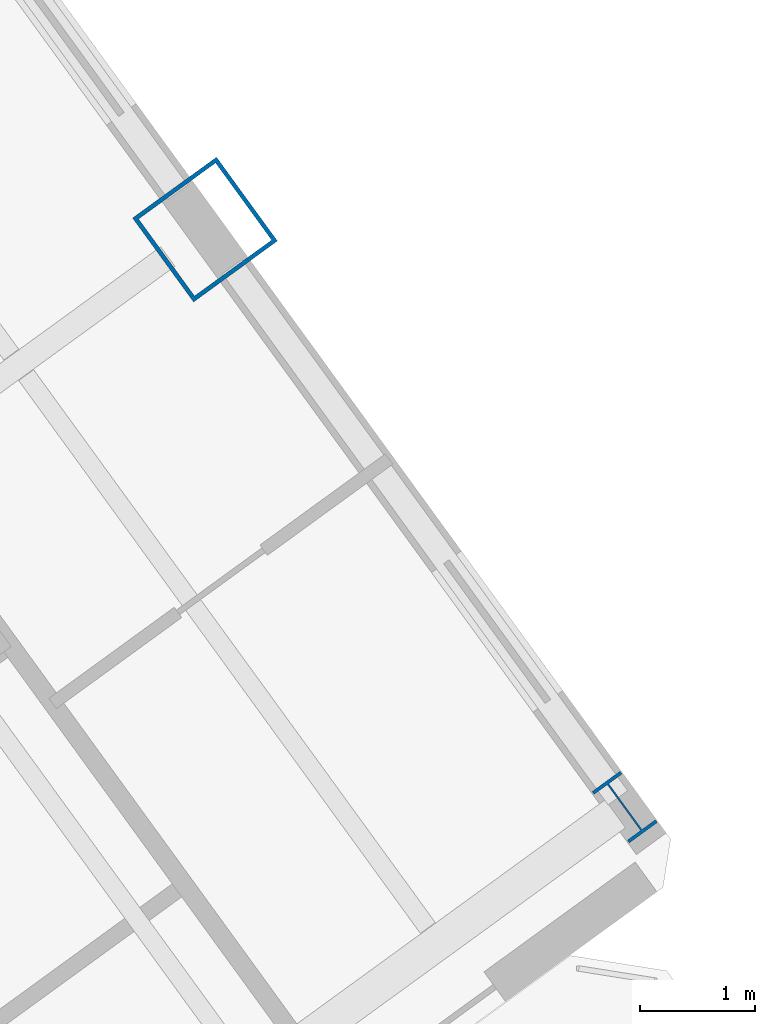
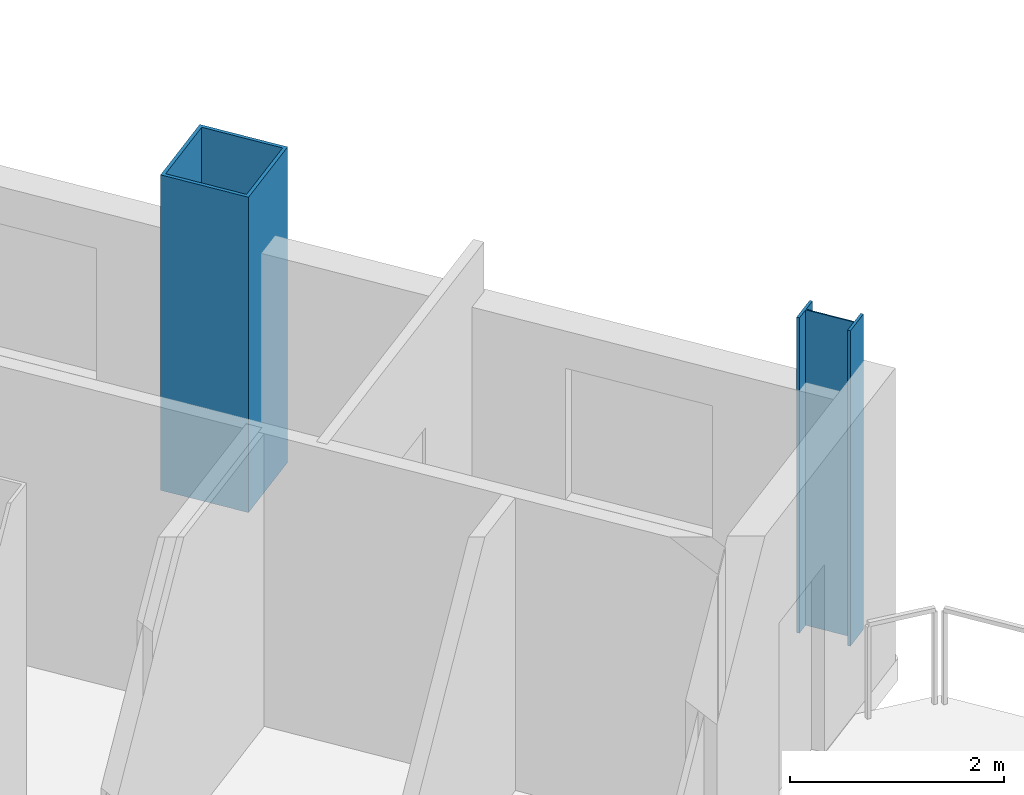
# One storey, part 4 of 19: 2 columns.
"""IFC4 building model written with IfcOpenShell, lengths in metres."""

from ifc_helpers import new_model, si_unit, direction, frame, origin, origin_2d, place, context, subcontext, project, spatial, hollow_rectangle, i_section, extrude, source, transform, mapped, material, material_profile, profile_set, type_object, element, save


model = new_model("IFC4")

# Units and contexts
model_context = context("Model", 3, precision=1e-05, world=origin(), true_north=direction((0.0, 1.0)))
body_context = subcontext(model_context, "Body", "Model", "MODEL_VIEW")
ifc_project = project(units=[si_unit("LENGTHUNIT", "METRE"), si_unit("AREAUNIT", "SQUARE_METRE"), si_unit("VOLUMEUNIT", "CUBIC_METRE"), si_unit("PLANEANGLEUNIT", "RADIAN"), si_unit("MASSUNIT", "GRAM", prefix="KILO")], contexts=[model_context])

# Site, building, storey
site_placement = place(None, origin())
site = spatial("IfcSite", under=ifc_project, at=site_placement, CompositionType="ELEMENT")
building_placement = place(site_placement, origin())
building = spatial("IfcBuilding", under=site, at=building_placement, Name="Tlacorven Tower", CompositionType="ELEMENT")
storey_placement = place(building_placement, frame((0.0, 0.0, 147.89990234375)))
storey = spatial("IfcBuildingStorey", under=building, at=storey_placement, Name="L37", CompositionType="ELEMENT", Elevation=147.89990234375)

# Columns
ifc_material = material(Name="Steel S460M", Category="steel")
ifc_material_profile_1 = material_profile(ifc_material, hollow_rectangle(XDim=0.89990234375, YDim=0.89990234375, WallThickness=0.035888671875, at=origin_2d()), Name="BOX 900X900X36")
ifc_profile_set_1 = profile_set([ifc_material_profile_1], Name="Steel S460M")
column_type_1 = type_object("IfcColumnType", Name="COL-TWR-S2", PredefinedType="COLUMN", material=ifc_profile_set_1)
shared_shape_1 = source(origin(), body_context, "Body", "SweptSolid", [
    extrude(hollow_rectangle(XDim=0.89990234375, YDim=0.89990234375, WallThickness=0.035888671875, at=origin_2d()), origin(), (0.0, 0.0, 1.0), 3.60009765625),
])
column_1_placement = place(storey_placement, frame((67.267822265625, 23.353515625, 0.0), z_axis=(0.0, 0.0, 1.0), x_axis=(0.809016994375, 0.587785252292, 0.0)))
element("IfcColumn", 1, at=column_1_placement, inside=storey, type_object=column_type_1, Name="L37 column COL-L37-E4-2", PredefinedType="COLUMN", context=body_context, shape_type="MappedRepresentation", body=[
    mapped(shared_shape_1, transform((0.0, 0.0, 0.0), scale=1.0)),
])
ifc_material_profile_2 = material_profile(ifc_material, i_section(OverallWidth=0.300048828125, OverallDepth=0.550048828125, WebThickness=0.014892578125, FlangeThickness=0.029052734375, at=origin_2d()), Name="HEB 550")
ifc_profile_set_2 = profile_set([ifc_material_profile_2], Name="Steel S460M")
column_type_2 = type_object("IfcColumnType", Name="COL-TWR-P2", PredefinedType="COLUMN", material=ifc_profile_set_2)
shared_shape_2 = source(origin(), body_context, "Body", "SweptSolid", [
    extrude(i_section(OverallWidth=0.300048828125, OverallDepth=0.550048828125, WebThickness=0.014892578125, FlangeThickness=0.029052734375, at=origin_2d()), origin(), (0.0, 0.0, 1.0), 3.60009765625),
])
column_2_placement = place(storey_placement, frame((70.911865234375, 18.337646484375, 0.0), z_axis=(0.0, 0.0, 1.0), x_axis=(0.809016994375, 0.587785252292, 0.0)))
element("IfcColumn", 2, at=column_2_placement, inside=storey, type_object=column_type_2, Name="L37 column COL-L37-E4-1", PredefinedType="COLUMN", context=body_context, shape_type="MappedRepresentation", body=[
    mapped(shared_shape_2, transform((0.0, 0.0, 0.0), scale=1.0)),
])

save(model, "model.ifc")
